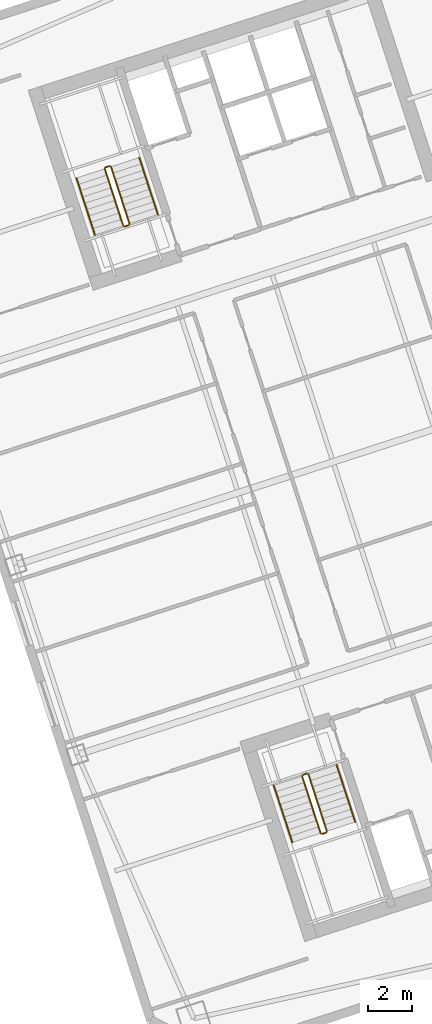
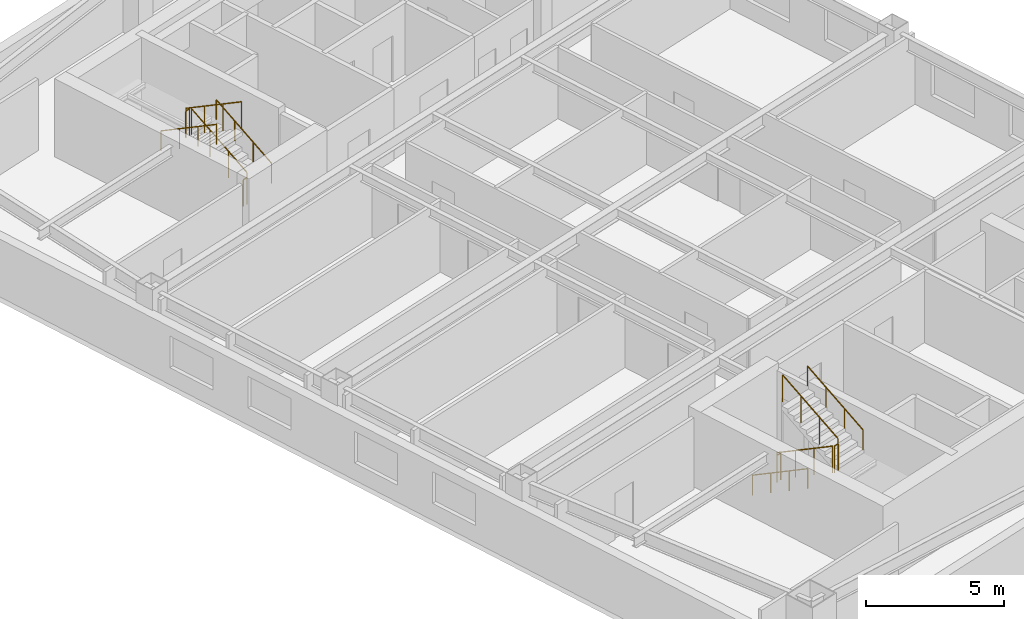
# One storey, part 13 of 13: 12 railings.
"""IFC4 building model written with IfcOpenShell, lengths in metres."""

from ifc_helpers import new_model, si_unit, direction, frame, origin, origin_2d, place, context, subcontext, project, spatial, circle, extrude, material, type_object, element, save


model = new_model("IFC4")

# Units and contexts
model_context = context("Model", 3, precision=1e-05, world=origin(), true_north=direction((0.0, 1.0)))
body_context = subcontext(model_context, "Body", "Model", "MODEL_VIEW")
ifc_project = project(units=[si_unit("LENGTHUNIT", "METRE"), si_unit("AREAUNIT", "SQUARE_METRE"), si_unit("VOLUMEUNIT", "CUBIC_METRE"), si_unit("PLANEANGLEUNIT", "RADIAN"), si_unit("MASSUNIT", "GRAM", prefix="KILO")], contexts=[model_context])

# Site, building, storey
site_placement = place(None, origin())
site = spatial("IfcSite", under=ifc_project, at=site_placement, CompositionType="ELEMENT")
building_placement = place(site_placement, origin())
building = spatial("IfcBuilding", under=site, at=building_placement, Name="Qiaolan Cultural Towers", CompositionType="ELEMENT")
storey_placement = place(building_placement, frame((0.0, 0.0, 180.550048828125)))
storey = spatial("IfcBuildingStorey", under=building, at=storey_placement, Name="L48", CompositionType="ELEMENT", Elevation=180.550048828125)

# Railings
ifc_material_1 = material(Name="Galvanized Painted Steel Stair Guardrail", Category="steel")
railing_type_1 = type_object("IfcRailingType", Name="RL-STAIR-GRD", PredefinedType="GUARDRAIL", material=ifc_material_1)
railing_1_placement = place(storey_placement, frame((88.60205078125, 19.82421875, 0.17236328125)))
element("IfcRailing", 1, at=railing_1_placement, inside=storey, type_object=railing_type_1, Name="L48 ST-E1 stair guard 1", PredefinedType="GUARDRAIL", context=body_context, shape_type="SweptSolid", body=[
    extrude(circle(Radius=0.02392578125, at=origin_2d()), frame((0.0, 0.0, 1.17578125), z_axis=(0.267925668498, -0.824471088726, 0.498460891159), x_axis=(0.951043371037, 0.309057448393, 0.0)), (0.0, 0.0, 1.0), 3.114501953125),
    extrude(circle(Radius=0.02099609375, at=origin_2d()), origin(), (0.0, 0.0, 1.0), 1.15185546875),
    extrude(circle(Radius=0.02099609375, at=origin_2d()), frame((0.278076171875, -0.85595703125, 0.517578125)), (0.0, 0.0, 1.0), 1.15185546875),
    extrude(circle(Radius=0.02099609375, at=origin_2d()), frame((0.556396484375, -1.7119140625, 1.034912109375)), (0.0, 0.0, 1.0), 1.15185546875),
    extrude(circle(Radius=0.02099609375, at=origin_2d()), frame((0.83447265625, -2.56787109375, 1.552490234375)), (0.0, 0.0, 1.0), 1.15185546875),
])
railing_2_placement = place(storey_placement, frame((89.49951171875, 17.224365234375, 1.724853515625)))
element("IfcRailing", 2, at=railing_2_placement, inside=storey, type_object=railing_type_1, Name="L48 ST-E1 stair guard 2", PredefinedType="GUARDRAIL", context=body_context, shape_type="SweptSolid", body=[
    extrude(circle(Radius=0.02392578125, at=origin_2d()), frame((0.0, 0.0, 1.17578125), z_axis=(0.951096855055, 0.308892816854, 0.0), x_axis=(-0.308892816854, 0.951096855055, 0.0)), (0.0, 0.0, 1.0), 0.199951171875),
    extrude(circle(Radius=0.02099609375, at=origin_2d()), origin(), (0.0, 0.0, 1.0), 1.15185546875),
    extrude(circle(Radius=0.02099609375, at=origin_2d()), frame((0.190185546875, 0.061767578125, 0.0)), (0.0, 0.0, 1.0), 1.15185546875),
])
railing_3_placement = place(storey_placement, frame((89.721923828125, 17.34912109375, 1.8974609375)))
element("IfcRailing", 3, at=railing_3_placement, inside=storey, type_object=railing_type_1, Name="L48 ST-E1 stair guard 3", PredefinedType="GUARDRAIL", context=body_context, shape_type="SweptSolid", body=[
    extrude(circle(Radius=0.02392578125, at=origin_2d()), frame((0.0, 0.0, 1.17578125), z_axis=(-0.267925668498, 0.824471088726, 0.498460891159), x_axis=(-0.951043371037, -0.309057448393, 0.0)), (0.0, 0.0, 1.0), 3.114501953125),
    extrude(circle(Radius=0.02099609375, at=origin_2d()), origin(), (0.0, 0.0, 1.0), 1.15185546875),
    extrude(circle(Radius=0.02099609375, at=origin_2d()), frame((-0.278076171875, 0.85595703125, 0.517578125)), (0.0, 0.0, 1.0), 1.15185546875),
    extrude(circle(Radius=0.02099609375, at=origin_2d()), frame((-0.556396484375, 1.7119140625, 1.034912109375)), (0.0, 0.0, 1.0), 1.15185546875),
    extrude(circle(Radius=0.02099609375, at=origin_2d()), frame((-0.83447265625, 2.56787109375, 1.552490234375)), (0.0, 0.0, 1.0), 1.15185546875),
])
railing_4_placement = place(storey_placement, frame((88.63427734375, 19.88720703125, 0.0)))
element("IfcRailing", 4, at=railing_4_placement, inside=storey, type_object=railing_type_1, Name="L48 ST-E1 stair guard 4", PredefinedType="GUARDRAIL", context=body_context, shape_type="SweptSolid", body=[
    extrude(circle(Radius=0.02392578125, at=origin_2d()), frame((0.0, 0.0, 1.17578125), z_axis=(0.951096855055, 0.308892816854, 0.0), x_axis=(-0.308892816854, 0.951096855055, 0.0)), (0.0, 0.0, 1.0), 0.199951171875),
    extrude(circle(Radius=0.02099609375, at=origin_2d()), origin(), (0.0, 0.0, 1.0), 1.15185546875),
    extrude(circle(Radius=0.02099609375, at=origin_2d()), frame((0.190185546875, 0.061767578125, 0.0)), (0.0, 0.0, 1.0), 1.15185546875),
])
railing_5_placement = place(storey_placement, frame((80.822021484375, 44.739501953125, 0.17236328125)))
element("IfcRailing", 5, at=railing_5_placement, inside=storey, type_object=railing_type_1, Name="L48 ST-E2 stair guard 1", PredefinedType="GUARDRAIL", context=body_context, shape_type="SweptSolid", body=[
    extrude(circle(Radius=0.02392578125, at=origin_2d()), frame((0.0, 0.0, 1.17578125), z_axis=(-0.26785290645, 0.824488402118, 0.498471358535), x_axis=(-0.951069945308, -0.308975661068, 0.0)), (0.0, 0.0, 1.0), 3.114501953125),
    extrude(circle(Radius=0.02099609375, at=origin_2d()), origin(), (0.0, 0.0, 1.0), 1.15185546875),
    extrude(circle(Radius=0.02099609375, at=origin_2d()), frame((-0.278076171875, 0.85595703125, 0.517578125)), (0.0, 0.0, 1.0), 1.15185546875),
    extrude(circle(Radius=0.02099609375, at=origin_2d()), frame((-0.55615234375, 1.7119140625, 1.034912109375)), (0.0, 0.0, 1.0), 1.15185546875),
    extrude(circle(Radius=0.02099609375, at=origin_2d()), frame((-0.834228515625, 2.56787109375, 1.552490234375)), (0.0, 0.0, 1.0), 1.15185546875),
])
railing_6_placement = place(storey_placement, frame((79.9248046875, 47.33935546875, 1.724853515625)))
element("IfcRailing", 6, at=railing_6_placement, inside=storey, type_object=railing_type_1, Name="L48 ST-E2 stair guard 2", PredefinedType="GUARDRAIL", context=body_context, shape_type="SweptSolid", body=[
    extrude(circle(Radius=0.02392578125, at=origin_2d()), frame((0.0, 0.0, 1.17578125), z_axis=(-0.951096855055, -0.308892816854, 0.0), x_axis=(0.308892816854, -0.951096855055, 0.0)), (0.0, 0.0, 1.0), 0.199951171875),
    extrude(circle(Radius=0.02099609375, at=origin_2d()), origin(), (0.0, 0.0, 1.0), 1.15185546875),
    extrude(circle(Radius=0.02099609375, at=origin_2d()), frame((-0.190185546875, -0.061767578125, 0.0)), (0.0, 0.0, 1.0), 1.15185546875),
])
railing_7_placement = place(storey_placement, frame((79.702392578125, 47.214599609375, 1.8974609375)))
element("IfcRailing", 7, at=railing_7_placement, inside=storey, type_object=railing_type_1, Name="L48 ST-E2 stair guard 3", PredefinedType="GUARDRAIL", context=body_context, shape_type="SweptSolid", body=[
    extrude(circle(Radius=0.02392578125, at=origin_2d()), frame((0.0, 0.0, 1.17578125), z_axis=(0.267925668498, -0.824471088726, 0.498460891159), x_axis=(0.951043371037, 0.309057448393, 0.0)), (0.0, 0.0, 1.0), 3.114501953125),
    extrude(circle(Radius=0.02099609375, at=origin_2d()), origin(), (0.0, 0.0, 1.0), 1.15185546875),
    extrude(circle(Radius=0.02099609375, at=origin_2d()), frame((0.278076171875, -0.85595703125, 0.517578125)), (0.0, 0.0, 1.0), 1.15185546875),
    extrude(circle(Radius=0.02099609375, at=origin_2d()), frame((0.556396484375, -1.7119140625, 1.034912109375)), (0.0, 0.0, 1.0), 1.15185546875),
    extrude(circle(Radius=0.02099609375, at=origin_2d()), frame((0.83447265625, -2.56787109375, 1.552490234375)), (0.0, 0.0, 1.0), 1.15185546875),
])
railing_8_placement = place(storey_placement, frame((80.7900390625, 44.676513671875, 0.0)))
element("IfcRailing", 8, at=railing_8_placement, inside=storey, type_object=railing_type_1, Name="L48 ST-E2 stair guard 4", PredefinedType="GUARDRAIL", context=body_context, shape_type="SweptSolid", body=[
    extrude(circle(Radius=0.02392578125, at=origin_2d()), frame((0.0, 0.0, 1.17578125), z_axis=(-0.951096855055, -0.308892816854, 0.0), x_axis=(0.308892816854, -0.951096855055, 0.0)), (0.0, 0.0, 1.0), 0.199951171875),
    extrude(circle(Radius=0.02099609375, at=origin_2d()), origin(), (0.0, 0.0, 1.0), 1.15185546875),
    extrude(circle(Radius=0.02099609375, at=origin_2d()), frame((-0.190185546875, -0.061767578125, 0.0)), (0.0, 0.0, 1.0), 1.15185546875),
])
ifc_material_2 = material(Name="Stainless Steel S30408 Tubular Handrail", Category="steel")
railing_type_2 = type_object("IfcRailingType", Name="RL-STAIR-HR", PredefinedType="HANDRAIL", material=ifc_material_2)
railing_9_placement = place(storey_placement, frame((87.32763671875, 19.41015625, 0.17236328125)))
element("IfcRailing", 9, at=railing_9_placement, inside=storey, type_object=railing_type_2, Name="L48 ST-E1 stair handrail 1", PredefinedType="HANDRAIL", context=body_context, shape_type="SweptSolid", body=[
    extrude(circle(Radius=0.02392578125, at=origin_2d()), frame((0.0, 0.0, 0.8759765625), z_axis=(0.267925668498, -0.824471088726, 0.498460891159), x_axis=(0.951043371037, 0.309057448393, 0.0)), (0.0, 0.0, 1.0), 3.114501953125),
    extrude(circle(Radius=0.02099609375, at=origin_2d()), origin(), (0.0, 0.0, 1.0), 0.851806640625),
    extrude(circle(Radius=0.02099609375, at=origin_2d()), frame((0.278076171875, -0.85595703125, 0.517578125)), (0.0, 0.0, 1.0), 0.851806640625),
    extrude(circle(Radius=0.02099609375, at=origin_2d()), frame((0.556396484375, -1.7119140625, 1.034912109375)), (0.0, 0.0, 1.0), 0.851806640625),
    extrude(circle(Radius=0.02099609375, at=origin_2d()), frame((0.83447265625, -2.56787109375, 1.552490234375)), (0.0, 0.0, 1.0), 0.851806640625),
])
railing_10_placement = place(storey_placement, frame((90.996337890625, 17.76318359375, 1.8974609375)))
element("IfcRailing", 10, at=railing_10_placement, inside=storey, type_object=railing_type_2, Name="L48 ST-E1 stair handrail 2", PredefinedType="HANDRAIL", context=body_context, shape_type="SweptSolid", body=[
    extrude(circle(Radius=0.02392578125, at=origin_2d()), frame((0.0, 0.0, 0.8759765625), z_axis=(-0.267925668498, 0.824471088726, 0.498460891159), x_axis=(-0.951043371037, -0.309057448393, 0.0)), (0.0, 0.0, 1.0), 3.114501953125),
    extrude(circle(Radius=0.02099609375, at=origin_2d()), origin(), (0.0, 0.0, 1.0), 0.851806640625),
    extrude(circle(Radius=0.02099609375, at=origin_2d()), frame((-0.278076171875, 0.85595703125, 0.517578125)), (0.0, 0.0, 1.0), 0.851806640625),
    extrude(circle(Radius=0.02099609375, at=origin_2d()), frame((-0.556396484375, 1.7119140625, 1.034912109375)), (0.0, 0.0, 1.0), 0.851806640625),
    extrude(circle(Radius=0.02099609375, at=origin_2d()), frame((-0.83447265625, 2.56787109375, 1.552490234375)), (0.0, 0.0, 1.0), 0.851806640625),
])
railing_11_placement = place(storey_placement, frame((82.096435546875, 45.153564453125, 0.17236328125)))
element("IfcRailing", 11, at=railing_11_placement, inside=storey, type_object=railing_type_2, Name="L48 ST-E2 stair handrail 1", PredefinedType="HANDRAIL", context=body_context, shape_type="SweptSolid", body=[
    extrude(circle(Radius=0.02392578125, at=origin_2d()), frame((0.0, 0.0, 0.8759765625), z_axis=(-0.26785290645, 0.824488402118, 0.498471358535), x_axis=(-0.951069945308, -0.308975661068, 0.0)), (0.0, 0.0, 1.0), 3.114501953125),
    extrude(circle(Radius=0.02099609375, at=origin_2d()), origin(), (0.0, 0.0, 1.0), 0.851806640625),
    extrude(circle(Radius=0.02099609375, at=origin_2d()), frame((-0.278076171875, 0.85595703125, 0.517578125)), (0.0, 0.0, 1.0), 0.851806640625),
    extrude(circle(Radius=0.02099609375, at=origin_2d()), frame((-0.55615234375, 1.7119140625, 1.034912109375)), (0.0, 0.0, 1.0), 0.851806640625),
    extrude(circle(Radius=0.02099609375, at=origin_2d()), frame((-0.834228515625, 2.56787109375, 1.552490234375)), (0.0, 0.0, 1.0), 0.851806640625),
])
railing_12_placement = place(storey_placement, frame((78.427978515625, 46.800537109375, 1.8974609375)))
element("IfcRailing", 12, at=railing_12_placement, inside=storey, type_object=railing_type_2, Name="L48 ST-E2 stair handrail 2", PredefinedType="HANDRAIL", context=body_context, shape_type="SweptSolid", body=[
    extrude(circle(Radius=0.02392578125, at=origin_2d()), frame((0.0, 0.0, 0.8759765625), z_axis=(0.267925668498, -0.824471088726, 0.498460891159), x_axis=(0.951043371037, 0.309057448393, 0.0)), (0.0, 0.0, 1.0), 3.114501953125),
    extrude(circle(Radius=0.02099609375, at=origin_2d()), origin(), (0.0, 0.0, 1.0), 0.851806640625),
    extrude(circle(Radius=0.02099609375, at=origin_2d()), frame((0.278076171875, -0.85595703125, 0.517578125)), (0.0, 0.0, 1.0), 0.851806640625),
    extrude(circle(Radius=0.02099609375, at=origin_2d()), frame((0.556396484375, -1.7119140625, 1.034912109375)), (0.0, 0.0, 1.0), 0.851806640625),
    extrude(circle(Radius=0.02099609375, at=origin_2d()), frame((0.83447265625, -2.56787109375, 1.552490234375)), (0.0, 0.0, 1.0), 0.851806640625),
])

save(model, "model.ifc")
